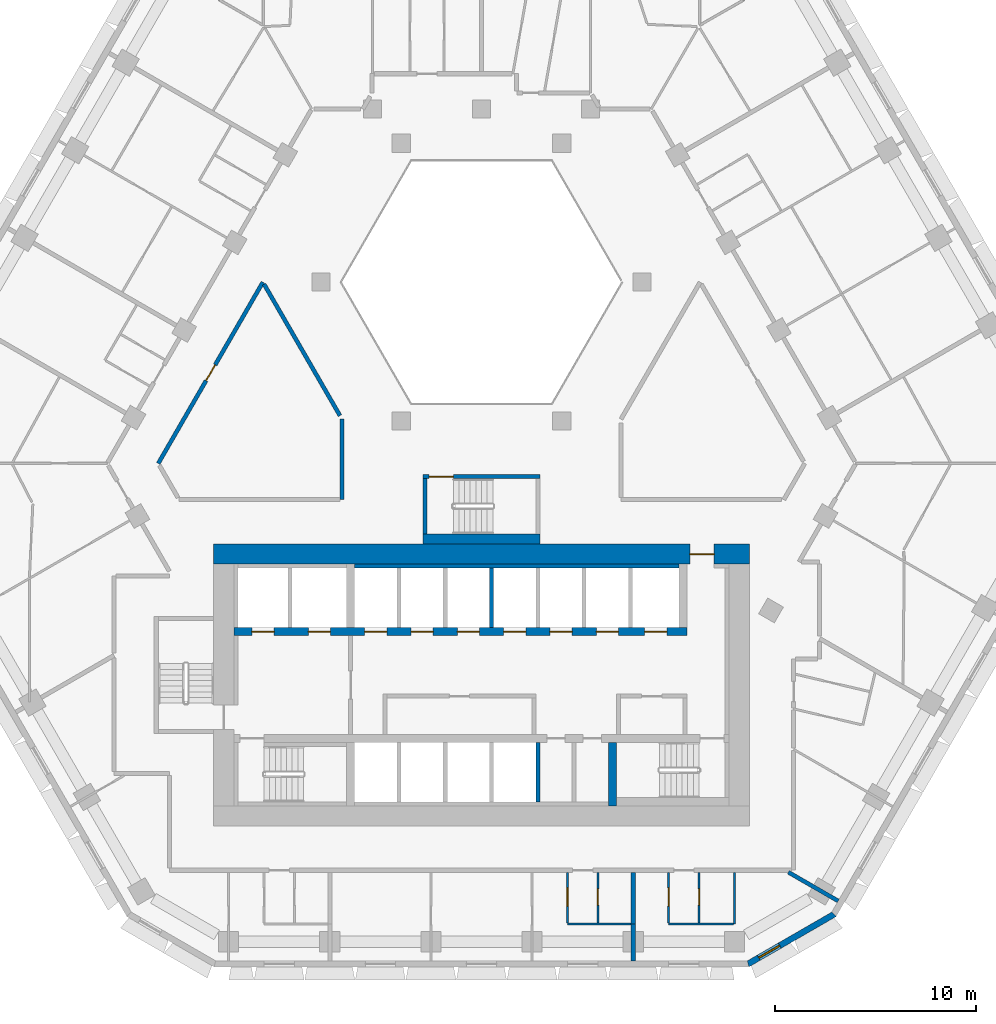
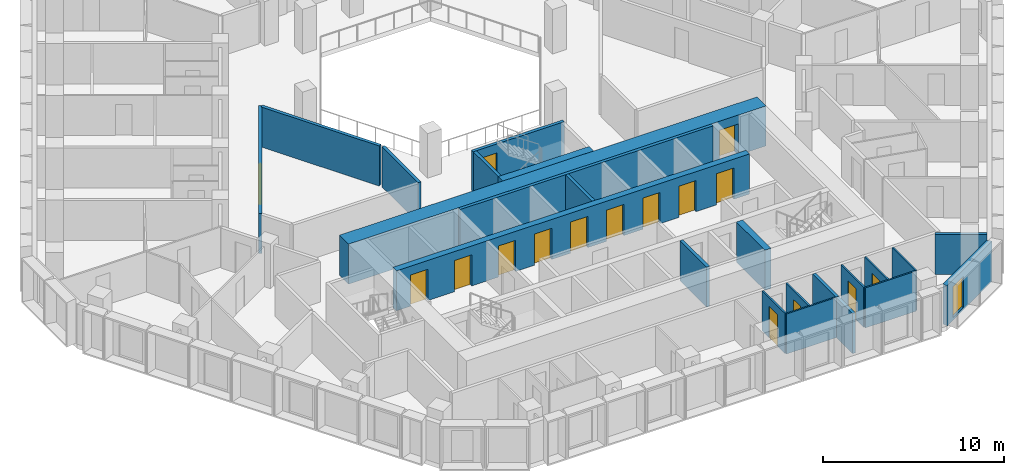
# One storey, part 5 of 15: 23 walls, 16 doors, 1 window, 17 openings.
"""IFC4 building model written with IfcOpenShell, lengths in metres."""

from ifc_helpers import new_model, si_unit, direction, frame, frame_2d, origin, place, context, subcontext, project, spatial, polyline, rectangle, outline, extrude, material, layer, layer_set, type_object, element, fill, save


model = new_model("IFC4")

# Units and contexts
model_context = context("Model", 3, precision=1e-05, world=origin(), true_north=direction((0.0, 1.0)))
body_context = subcontext(model_context, "Body", "Model", "MODEL_VIEW")
ifc_project = project(units=[si_unit("LENGTHUNIT", "METRE"), si_unit("AREAUNIT", "SQUARE_METRE"), si_unit("VOLUMEUNIT", "CUBIC_METRE"), si_unit("PLANEANGLEUNIT", "RADIAN"), si_unit("MASSUNIT", "GRAM", prefix="KILO")], contexts=[model_context])

# Site, building, storey
site_placement = place(None, origin())
site = spatial("IfcSite", under=ifc_project, at=site_placement, CompositionType="ELEMENT")
building_placement = place(site_placement, origin())
building = spatial("IfcBuilding", under=site, at=building_placement, Name="Beryl Residences", CompositionType="ELEMENT")
storey_placement = place(building_placement, frame((0.0, 0.0, 84.0)))
storey = spatial("IfcBuildingStorey", under=building, at=storey_placement, Name="L25", CompositionType="ELEMENT", Elevation=84.0)

# Wall, opening, window
ifc_material_1 = material(Name="Composite metal panel with mineral wool insulation")
ifc_layer_1 = layer(ifc_material_1, 0.300048828125)
ifc_layer_set_1 = layer_set([ifc_layer_1], Name="ES1 pale metal composite panel wall 300 mm")
wall_type_1 = type_object("IfcWallType", Name="ES1 pale metal composite panel wall 300 mm", PredefinedType="SOLIDWALL", material=ifc_layer_set_1)
wall_1_placement = place(storey_placement, frame((13.2041015625, -25.8701171875, 0.0), z_axis=(0.0, 0.0, 1.0), x_axis=(0.866010750942, 0.50002537861, 0.0)))
wall_1 = element("IfcWall", 1, at=wall_1_placement, inside=storey, type_object=wall_type_1, Name="ES1 external wall L25 S-SE", PredefinedType="SOLIDWALL", context=body_context, shape_type="SweptSolid", body=[
    extrude(outline(polyline([(0.0, -0.14990234375), (4.999755859375, -0.14990234375), (4.91943359375, 0.14990234375), (0.080322265625, 0.14990234375), (0.0, -0.14990234375)])), origin(), (0.0, 0.0, 1.0), 2.699951171875),
])
opening_1_placement = place(wall_1_placement, frame((0.64990234375, 0.0, 0.14990234375)))
opening_1 = element("IfcOpeningElement", 2, at=opening_1_placement, cuts=wall_1, Name="Opening W2", PredefinedType="OPENING", context=body_context, shape_type="SweptSolid", body=[
    extrude(rectangle(XDim=1.199951171875, YDim=2.10009765625, at=frame_2d((0.60009765625, 1.050048828125))), frame((0.0, 0.159912109375, 0.0), z_axis=(0.0, -1.0, 0.0), x_axis=(1.0, 0.0, 0.0)), (0.0, 0.0, 1.0), 0.320068359375),
])
ifc_material_2 = material(Name="Aluminium and clear glass", Category="aluminium")
window_type = type_object("IfcWindowType", Name="W2 chamfer window 1200 x 2100 mm", PartitioningType="SINGLE_PANEL", PredefinedType="WINDOW", material=ifc_material_2)
window_placement = place(opening_1_placement, origin())
window = element("IfcWindow", 3, at=window_placement, inside=storey, type_object=window_type, Name="W2 window L25 S-SE 1", OverallHeight=2.10009765625, OverallWidth=1.199951171875, PartitioningType="SINGLE_PANEL", PredefinedType="WINDOW", context=body_context, shape_type="SweptSolid", body=[
    extrude(rectangle(XDim=1.199951171875, YDim=2.10009765625, at=frame_2d((0.60009765625, 1.050048828125))), frame((0.0, 0.030029296875, 0.0), z_axis=(0.0, -1.0, 0.0), x_axis=(1.0, 0.0, 0.0)), (0.0, 0.0, 1.0), 0.06005859375),
])
fill(opening_1, window)

# Wall, opening, door
ifc_material_3 = material(Name="Gypsum board partition on steel studs", Category="steel")
ifc_layer_2 = layer(ifc_material_3, 0.10009765625)
ifc_layer_set_2 = layer_set([ifc_layer_2], Name="PT1 partition 100 mm gypsum board on steel studs")
wall_type_2 = type_object("IfcWallType", Name="PT1 partition 100 mm gypsum board on steel studs", PredefinedType="PARTITIONING", material=ifc_layer_set_2)
wall_2_placement = place(storey_placement, frame((4.27001953125, -21.300048828125, 0.0), z_axis=(0.0, 0.0, 1.0), x_axis=(0.0, -1.0, 0.0)))
wall_2 = element("IfcWall", 4, at=wall_2_placement, inside=storey, type_object=wall_type_2, Name="Wall PT1 L25 012", PredefinedType="PARTITIONING", context=body_context, shape_type="SweptSolid", body=[
    extrude(rectangle(XDim=2.509033203125, YDim=0.10009765625, at=frame_2d((1.25439453125, 0.0))), origin(), (0.0, 0.0, 1.0), 2.699951171875),
])
opening_2_placement = place(wall_2_placement, frame((0.780029296875, 0.0, 0.0)))
opening_2 = element("IfcOpeningElement", 5, at=opening_2_placement, cuts=wall_2, Name="Opening D0852", PredefinedType="OPENING", context=body_context, shape_type="SweptSolid", body=[
    extrude(rectangle(XDim=0.89990234375, YDim=2.10009765625, at=frame_2d((0.449951171875, 1.050048828125))), frame((0.0, 0.06005859375, 0.0), z_axis=(0.0, -1.0, 0.0), x_axis=(1.0, 0.0, 0.0)), (0.0, 0.0, 1.0), 0.1201171875),
])
ifc_material_4 = material(Name="Timber door leaf", Category="wood")
door_type_1 = type_object("IfcDoorType", Name="D2 room door 900 x 2100 mm", OperationType="SINGLE_SWING_LEFT", PredefinedType="DOOR", material=ifc_material_4)
door_1_placement = place(opening_2_placement, origin())
door_1 = element("IfcDoor", 6, at=door_1_placement, inside=storey, type_object=door_type_1, Name="Door D0852 L25 001", OperationType="SINGLE_SWING_RIGHT", OverallHeight=2.10009765625, OverallWidth=0.89990234375, PredefinedType="DOOR", context=body_context, shape_type="SweptSolid", body=[
    extrude(rectangle(XDim=0.89990234375, YDim=2.10009765625, at=frame_2d((0.449951171875, 1.050048828125))), frame((0.0, 0.02490234375, 0.0), z_axis=(0.0, -1.0, 0.0), x_axis=(1.0, 0.0, 0.0)), (0.0, 0.0, 1.0), 0.050048828125),
])
fill(opening_2, door_1)

wall_3_placement = place(storey_placement, frame((9.29296875, -21.300048828125, 0.0), z_axis=(0.0, 0.0, 1.0), x_axis=(0.0, -1.0, 0.0)))
wall_3 = element("IfcWall", 7, at=wall_3_placement, inside=storey, type_object=wall_type_2, Name="Wall PT1 L25 013", PredefinedType="PARTITIONING", context=body_context, shape_type="SweptSolid", body=[
    extrude(rectangle(XDim=2.509033203125, YDim=0.10009765625, at=frame_2d((1.25439453125, 0.0))), origin(), (0.0, 0.0, 1.0), 2.699951171875),
])
opening_3_placement = place(wall_3_placement, frame((0.780029296875, 0.0, 0.0)))
opening_3 = element("IfcOpeningElement", 8, at=opening_3_placement, cuts=wall_3, Name="Opening D0857", PredefinedType="OPENING", context=body_context, shape_type="SweptSolid", body=[
    extrude(rectangle(XDim=0.89990234375, YDim=2.10009765625, at=frame_2d((0.449951171875, 1.050048828125))), frame((0.0, 0.06005859375, 0.0), z_axis=(0.0, -1.0, 0.0), x_axis=(1.0, 0.0, 0.0)), (0.0, 0.0, 1.0), 0.1201171875),
])
door_2_placement = place(opening_3_placement, origin())
door_2 = element("IfcDoor", 9, at=door_2_placement, inside=storey, type_object=door_type_1, Name="Door D0857 L25 001", OperationType="SINGLE_SWING_LEFT", OverallHeight=2.10009765625, OverallWidth=0.89990234375, PredefinedType="DOOR", context=body_context, shape_type="SweptSolid", body=[
    extrude(rectangle(XDim=0.89990234375, YDim=2.10009765625, at=frame_2d((0.449951171875, 1.050048828125))), frame((0.0, 0.02490234375, 0.0), z_axis=(0.0, -1.0, 0.0), x_axis=(1.0, 0.0, 0.0)), (0.0, 0.0, 1.0), 0.050048828125),
])
fill(opening_3, door_2)

# Walls
wall_4_placement = place(storey_placement, frame((4.27099609375, -23.860107421875, 0.0), z_axis=(0.0, 0.0, 1.0), x_axis=(1.0, 0.0, 0.0)))
element("IfcWall", 10, at=wall_4_placement, inside=storey, type_object=wall_type_2, Name="Wall PT1 L25 030", PredefinedType="PARTITIONING", context=body_context, shape_type="SweptSolid", body=[
    extrude(rectangle(XDim=3.1640625, YDim=0.10009765625, at=frame_2d((1.58203125, 0.0))), origin(), (0.0, 0.0, 1.0), 2.699951171875),
])
wall_5_placement = place(storey_placement, frame((9.2939453125, -23.860107421875, 0.0), z_axis=(0.0, 0.0, 1.0), x_axis=(1.0, 0.0, 0.0)))
element("IfcWall", 11, at=wall_5_placement, inside=storey, type_object=wall_type_2, Name="Wall PT1 L25 031", PredefinedType="PARTITIONING", context=body_context, shape_type="SweptSolid", body=[
    extrude(rectangle(XDim=3.213134765625, YDim=0.10009765625, at=frame_2d((1.6064453125, 0.0))), origin(), (0.0, 0.0, 1.0), 2.699951171875),
])

# Wall, opening, door
wall_6_placement = place(storey_placement, frame((5.777099609375, -23.81005859375, 0.0), z_axis=(0.0, 0.0, 1.0), x_axis=(0.0, 1.0, 0.0)))
wall_6 = element("IfcWall", 12, at=wall_6_placement, inside=storey, type_object=wall_type_2, Name="Wall PT1 L25 048", PredefinedType="PARTITIONING", context=body_context, shape_type="SweptSolid", body=[
    extrude(rectangle(XDim=2.510009765625, YDim=0.10009765625, at=frame_2d((1.2548828125, 0.0))), origin(), (0.0, 0.0, 1.0), 2.699951171875),
])
opening_4_placement = place(wall_6_placement, frame((0.8798828125, 0.0, 0.0)))
opening_4 = element("IfcOpeningElement", 13, at=opening_4_placement, cuts=wall_6, Name="Opening D0853", PredefinedType="OPENING", context=body_context, shape_type="SweptSolid", body=[
    extrude(rectangle(XDim=0.800048828125, YDim=2.10009765625, at=frame_2d((0.39990234375, 1.050048828125))), frame((0.0, 0.06005859375, 0.0), z_axis=(0.0, -1.0, 0.0), x_axis=(1.0, 0.0, 0.0)), (0.0, 0.0, 1.0), 0.1201171875),
])
ifc_material_5 = material(Name="Timber door leaf", Category="wood")
door_type_2 = type_object("IfcDoorType", Name="D3 bathroom door 800 x 2100 mm", OperationType="SINGLE_SWING_LEFT", PredefinedType="DOOR", material=ifc_material_5)
door_3_placement = place(opening_4_placement, origin())
door_3 = element("IfcDoor", 14, at=door_3_placement, inside=storey, type_object=door_type_2, Name="Door D0853 L25 001", OperationType="SINGLE_SWING_LEFT", OverallHeight=2.10009765625, OverallWidth=0.800048828125, PredefinedType="DOOR", context=body_context, shape_type="SweptSolid", body=[
    extrude(rectangle(XDim=0.800048828125, YDim=2.10009765625, at=frame_2d((0.39990234375, 1.050048828125))), frame((0.0, 0.02490234375, 0.0), z_axis=(0.0, -1.0, 0.0), x_axis=(1.0, 0.0, 0.0)), (0.0, 0.0, 1.0), 0.050048828125),
])
fill(opening_4, door_3)

wall_7_placement = place(storey_placement, frame((10.800048828125, -23.81005859375, 0.0), z_axis=(0.0, 0.0, 1.0), x_axis=(0.0, 1.0, 0.0)))
wall_7 = element("IfcWall", 15, at=wall_7_placement, inside=storey, type_object=wall_type_2, Name="Wall PT1 L25 049", PredefinedType="PARTITIONING", context=body_context, shape_type="SweptSolid", body=[
    extrude(rectangle(XDim=2.510009765625, YDim=0.10009765625, at=frame_2d((1.2548828125, 0.0))), origin(), (0.0, 0.0, 1.0), 2.699951171875),
])
opening_5_placement = place(wall_7_placement, frame((0.8798828125, 0.0, 0.0)))
opening_5 = element("IfcOpeningElement", 16, at=opening_5_placement, cuts=wall_7, Name="Opening D0858", PredefinedType="OPENING", context=body_context, shape_type="SweptSolid", body=[
    extrude(rectangle(XDim=0.800048828125, YDim=2.10009765625, at=frame_2d((0.39990234375, 1.050048828125))), frame((0.0, 0.06005859375, 0.0), z_axis=(0.0, -1.0, 0.0), x_axis=(1.0, 0.0, 0.0)), (0.0, 0.0, 1.0), 0.1201171875),
])
door_4_placement = place(opening_5_placement, origin())
door_4 = element("IfcDoor", 17, at=door_4_placement, inside=storey, type_object=door_type_2, Name="Door D0858 L25 001", OperationType="SINGLE_SWING_RIGHT", OverallHeight=2.10009765625, OverallWidth=0.800048828125, PredefinedType="DOOR", context=body_context, shape_type="SweptSolid", body=[
    extrude(rectangle(XDim=0.800048828125, YDim=2.10009765625, at=frame_2d((0.39990234375, 1.050048828125))), frame((0.0, 0.02490234375, 0.0), z_axis=(0.0, -1.0, 0.0), x_axis=(1.0, 0.0, 0.0)), (0.0, 0.0, 1.0), 0.050048828125),
])
fill(opening_5, door_4)

# Walls
wall_8_placement = place(storey_placement, frame((12.55810546875, -23.85888671875, 0.0), z_axis=(0.0, 0.0, 1.0), x_axis=(0.0, 1.0, 0.0)))
element("IfcWall", 18, at=wall_8_placement, inside=storey, type_object=wall_type_2, Name="Wall PT1 L25 051", PredefinedType="PARTITIONING", context=body_context, shape_type="SweptSolid", body=[
    extrude(rectangle(XDim=2.558837890625, YDim=0.10009765625, at=frame_2d((1.279296875, 0.0))), origin(), (0.0, 0.0, 1.0), 2.699951171875),
])
ifc_material_6 = material(Name="Acoustic double stud gypsum board wall")
ifc_layer_3 = layer(ifc_material_6, 0.199951171875)
ifc_layer_set_3 = layer_set([ifc_layer_3], Name="PT3 party wall 200 mm acoustic double stud")
wall_type_3 = type_object("IfcWallType", Name="PT3 party wall 200 mm acoustic double stud", PredefinedType="PARTITIONING", material=ifc_layer_set_3)
wall_9_placement = place(storey_placement, frame((7.534912109375, -23.860107421875, 0.0), z_axis=(0.0, 0.0, 1.0), x_axis=(0.0, -1.0, 0.0)))
element("IfcWall", 19, at=wall_9_placement, inside=storey, type_object=wall_type_3, Name="Wall PT3 L25 002", PredefinedType="PARTITIONING", context=body_context, shape_type="SweptSolid", body=[
    extrude(rectangle(XDim=1.83984375, YDim=0.199951171875, at=frame_2d((0.919921875, 0.0))), origin(), (0.0, 0.0, 1.0), 2.699951171875),
])
wall_10_placement = place(storey_placement, frame((15.239990234375, -21.300048828125, 0.0), z_axis=(0.0, 0.0, 1.0), x_axis=(0.866090043625, -0.499888023795, 0.0)))
element("IfcWall", 20, at=wall_10_placement, inside=storey, type_object=wall_type_3, Name="Wall PT3 L25 004", PredefinedType="PARTITIONING", context=body_context, shape_type="SweptSolid", body=[
    extrude(rectangle(XDim=2.850830078125, YDim=0.199951171875, at=frame_2d((1.42529296875, 0.0))), origin(), (0.0, 0.0, 1.0), 2.699951171875),
])
wall_11_placement = place(storey_placement, frame((7.534912109375, -23.860107421875, 0.0), z_axis=(0.0, 0.0, 1.0), x_axis=(0.0, 1.0, 0.0)))
element("IfcWall", 21, at=wall_11_placement, inside=storey, type_object=wall_type_3, Name="Wall PT3 L25 008", PredefinedType="PARTITIONING", context=body_context, shape_type="SweptSolid", body=[
    extrude(rectangle(XDim=2.56005859375, YDim=0.199951171875, at=frame_2d((1.280029296875, 0.0))), origin(), (0.0, 0.0, 1.0), 2.699951171875),
])
ifc_material_7 = material(Name="Double stud gypsum board wall")
ifc_layer_4 = layer(ifc_material_7, 0.199951171875)
ifc_layer_set_4 = layer_set([ifc_layer_4], Name="PT4 corridor wall 200 mm double stud")
wall_type_4 = type_object("IfcWallType", Name="PT4 corridor wall 200 mm double stud", PredefinedType="PARTITIONING", material=ifc_layer_set_4)
wall_12_placement = place(storey_placement, frame((-10.7958984375, 7.89892578125, 0.0), z_axis=(0.0, 0.0, 1.0), x_axis=(0.500010383074, -0.866019409031, 0.0)))
element("IfcWall", 22, at=wall_12_placement, inside=storey, type_object=wall_type_4, Name="Wall PT4 L25 001", PredefinedType="PARTITIONING", context=body_context, shape_type="SweptSolid", body=[
    extrude(rectangle(XDim=7.535400390625, YDim=0.199951171875, at=frame_2d((3.767578125, 0.0))), origin(), (0.0, 0.0, 1.0), 2.699951171875),
])

# Wall, opening, door
wall_13_placement = place(storey_placement, frame((-16.050048828125, -1.0, 0.0), z_axis=(0.0, 0.0, 1.0), x_axis=(0.499962449088, 0.866047082728, 0.0)))
wall_13 = element("IfcWall", 23, at=wall_13_placement, inside=storey, type_object=wall_type_4, Name="Wall PT4 L25 027", PredefinedType="PARTITIONING", context=body_context, shape_type="SweptSolid", body=[
    extrude(rectangle(XDim=10.390869140625, YDim=0.199951171875, at=frame_2d((5.1953125, 0.0))), origin(), (0.0, 0.0, 1.0), 2.699951171875),
])
opening_6_placement = place(wall_13_placement, frame((4.7451171875, 0.0, 0.0)))
opening_6 = element("IfcOpeningElement", 24, at=opening_6_placement, cuts=wall_13, Name="Opening D0863", PredefinedType="OPENING", context=body_context, shape_type="SweptSolid", body=[
    extrude(rectangle(XDim=0.89990234375, YDim=2.10009765625, at=frame_2d((0.449951171875, 1.050048828125))), frame((0.0, 0.10986328125, 0.0), z_axis=(0.0, -1.0, 0.0), x_axis=(1.0, 0.0, 0.0)), (0.0, 0.0, 1.0), 0.219970703125),
])
door_5_placement = place(opening_6_placement, origin())
door_5 = element("IfcDoor", 25, at=door_5_placement, inside=storey, type_object=door_type_1, Name="Door D0863 L25 001", OperationType="SINGLE_SWING_LEFT", OverallHeight=2.10009765625, OverallWidth=0.89990234375, PredefinedType="DOOR", context=body_context, shape_type="SweptSolid", body=[
    extrude(rectangle(XDim=0.89990234375, YDim=2.10009765625, at=frame_2d((0.449951171875, 1.050048828125))), frame((0.0, 0.02490234375, 0.0), z_axis=(0.0, -1.0, 0.0), x_axis=(1.0, 0.0, 0.0)), (0.0, 0.0, 1.0), 0.050048828125),
])
fill(opening_6, door_5)

# Wall
wall_14_placement = place(storey_placement, frame((-6.927978515625, -2.799072265625, 0.0), z_axis=(0.0, 0.0, 1.0), x_axis=(0.0, 1.0, 0.0)))
element("IfcWall", 26, at=wall_14_placement, inside=storey, type_object=wall_type_4, Name="Wall PT4 L25 034", PredefinedType="PARTITIONING", context=body_context, shape_type="SweptSolid", body=[
    extrude(rectangle(XDim=3.9990234375, YDim=0.199951171875, at=frame_2d((1.99951171875, 0.0))), origin(), (0.0, 0.0, 1.0), 2.699951171875),
])

# Wall, opening, door
ifc_material_8 = material(Name="Concrete C40/50", Category="concrete")
ifc_layer_5 = layer(ifc_material_8, 0.199951171875)
ifc_layer_set_5 = layer_set([ifc_layer_5], Name="PT5 stair enclosure wall 200 mm reinforced concrete C40/50")
wall_type_5 = type_object("IfcWallType", Name="PT5 stair enclosure wall 200 mm reinforced concrete C40/50", PredefinedType="SOLIDWALL", material=ifc_layer_set_5)
wall_15_placement = place(storey_placement, frame((-2.89990234375, -1.64990234375, 0.0), z_axis=(0.0, 0.0, 1.0), x_axis=(1.0, 0.0, 0.0)))
wall_15 = element("IfcWall", 27, at=wall_15_placement, inside=storey, type_object=wall_type_5, Name="Wall PT5 L25 001", PredefinedType="SOLIDWALL", context=body_context, shape_type="SweptSolid", body=[
    extrude(rectangle(XDim=5.7998046875, YDim=0.199951171875, at=frame_2d((2.89990234375, 0.0))), origin(), (0.0, 0.0, 1.0), 2.699951171875),
])
opening_7_placement = place(wall_15_placement, frame((0.300048828125, 0.0, 0.0)))
opening_7 = element("IfcOpeningElement", 28, at=opening_7_placement, cuts=wall_15, Name="Opening DS04", PredefinedType="OPENING", context=body_context, shape_type="SweptSolid", body=[
    extrude(rectangle(XDim=1.199951171875, YDim=2.10009765625, at=frame_2d((0.60009765625, 1.050048828125))), frame((0.0, 0.10986328125, 0.0), z_axis=(0.0, -1.0, 0.0), x_axis=(1.0, 0.0, 0.0)), (0.0, 0.0, 1.0), 0.219970703125),
])
ifc_material_9 = material(Name="Steel door leaf in steel frame", Category="steel")
door_type_3 = type_object("IfcDoorType", Name="D4 stair door 1200 x 2100 mm", OperationType="SINGLE_SWING_LEFT", PredefinedType="DOOR", material=ifc_material_9)
door_6_placement = place(opening_7_placement, origin())
door_6 = element("IfcDoor", 29, at=door_6_placement, inside=storey, type_object=door_type_3, Name="Door DS04 L25 001", OperationType="SINGLE_SWING_LEFT", OverallHeight=2.10009765625, OverallWidth=1.199951171875, PredefinedType="DOOR", context=body_context, shape_type="SweptSolid", body=[
    extrude(rectangle(XDim=1.199951171875, YDim=2.10009765625, at=frame_2d((0.60009765625, 1.050048828125))), frame((0.0, 0.02490234375, 0.0), z_axis=(0.0, -1.0, 0.0), x_axis=(1.0, 0.0, 0.0)), (0.0, 0.0, 1.0), 0.050048828125),
])
fill(opening_7, door_6)

# Walls
wall_16_placement = place(storey_placement, frame((-2.800048828125, -4.5, 0.0), z_axis=(0.0, 0.0, 1.0), x_axis=(0.0, 1.0, 0.0)))
element("IfcWall", 30, at=wall_16_placement, inside=storey, type_object=wall_type_5, Name="Wall PT5 L25 002", PredefinedType="SOLIDWALL", context=body_context, shape_type="SweptSolid", body=[
    extrude(rectangle(XDim=2.75, YDim=0.199951171875, at=frame_2d((1.375, 0.0))), origin(), (0.0, 0.0, 1.0), 2.699951171875),
])
ifc_material_10 = material(Name="Concrete C40/50", Category="concrete")
ifc_layer_6 = layer(ifc_material_10, 0.5)
ifc_layer_set_6 = layer_set([ifc_layer_6], Name="PT5-500 stair enclosure wall 500 mm")
wall_type_6 = type_object("IfcWallType", Name="PT5-500 stair enclosure wall 500 mm", PredefinedType="SOLIDWALL", material=ifc_layer_set_6)
wall_17_placement = place(storey_placement, frame((-2.89990234375, -4.75, 0.0), z_axis=(0.0, 0.0, 1.0), x_axis=(1.0, 0.0, 0.0)))
element("IfcWall", 31, at=wall_17_placement, inside=storey, type_object=wall_type_6, Name="Wall PT5-500 L25 001", PredefinedType="SOLIDWALL", context=body_context, shape_type="SweptSolid", body=[
    extrude(rectangle(XDim=5.7998046875, YDim=0.5, at=frame_2d((2.89990234375, 0.0))), origin(), (0.0, 0.0, 1.0), 2.699951171875),
])
ifc_material_11 = material(Name="Concrete C40/50", Category="concrete")
ifc_layer_7 = layer(ifc_material_11, 0.199951171875)
ifc_layer_set_7 = layer_set([ifc_layer_7], Name="PT6 lift shaft wall 200 mm reinforced concrete C40/50")
wall_type_7 = type_object("IfcWallType", Name="PT6 lift shaft wall 200 mm reinforced concrete C40/50", PredefinedType="SOLIDWALL", material=ifc_layer_set_7)
wall_18_placement = place(storey_placement, frame((-6.300048828125, -6.10009765625, 0.0), z_axis=(0.0, 0.0, 1.0), x_axis=(1.0, 0.0, 0.0)))
element("IfcWall", 32, at=wall_18_placement, inside=storey, type_object=wall_type_7, Name="Lift shaft wall 13", PredefinedType="SOLIDWALL", context=body_context, shape_type="SweptSolid", body=[
    extrude(rectangle(XDim=16.10009765625, YDim=0.199951171875, at=frame_2d((8.050048828125, 0.0))), origin(), (0.0, 0.0, 1.0), 2.699951171875),
])
for number, where, z_axis, x_axis, name in (
    (33, (0.5, -9.14990234375, 0.0), (0.0, 0.0, 1.0), (0.0, 1.0, 0.0), "Lift shaft wall 21"),
    (34, (2.800048828125, -17.800048828125, 0.0), (0.0, 0.0, 1.0), (0.0, 1.0, 0.0), "Lift shaft wall 23"),
):
    element("IfcWall", number, at=place(storey_placement, frame(where, z_axis=z_axis, x_axis=x_axis)), inside=storey, type_object=wall_type_7, Name=name, PredefinedType="SOLIDWALL", context=body_context, shape_type="SweptSolid", body=[
        extrude(rectangle(XDim=2.949951171875, YDim=0.199951171875, at=frame_2d((1.47509765625, 0.0))), origin(), (0.0, 0.0, 1.0), 2.699951171875),
    ])

# Wall, opening, door
ifc_material_12 = material(Name="Concrete C70/85", Category="concrete")
ifc_layer_8 = layer(ifc_material_12, 1.0)
ifc_layer_set_8 = layer_set([ifc_layer_8], Name="SW2 core outer wall 1000 mm C70/85")
wall_type_8 = type_object("IfcWallType", Name="SW2 core outer wall 1000 mm C70/85", PredefinedType="SHEAR", material=ifc_layer_set_8)
wall_19_placement = place(storey_placement, frame((-13.300048828125, -5.5, 0.0), z_axis=(0.0, 0.0, 1.0), x_axis=(1.0, 0.0, 0.0)))
wall_19 = element("IfcWall", 35, at=wall_19_placement, inside=storey, type_object=wall_type_8, Name="Core wall N L25", PredefinedType="SHEAR", context=body_context, shape_type="SweptSolid", body=[
    extrude(rectangle(XDim=26.60009765625, YDim=1.0, at=frame_2d((13.300048828125, 0.0))), origin(), (0.0, 0.0, 1.0), 2.699951171875),
])
opening_8_placement = place(wall_19_placement, frame((23.64990234375, 0.0, 0.0)))
opening_8 = element("IfcOpeningElement", 36, at=opening_8_placement, cuts=wall_19, Name="Opening FD-NORTH", PredefinedType="OPENING", context=body_context, shape_type="SweptSolid", body=[
    extrude(rectangle(XDim=1.199951171875, YDim=2.10009765625, at=frame_2d((0.60009765625, 1.050048828125))), frame((0.0, 0.510009765625, 0.0), z_axis=(0.0, -1.0, 0.0), x_axis=(1.0, 0.0, 0.0)), (0.0, 0.0, 1.0), 1.02001953125),
])
ifc_material_13 = material(Name="Steel door leaf in steel frame", Category="steel")
door_type_4 = type_object("IfcDoorType", Name="D22 lobby door 1200 x 2100 mm", OperationType="DOUBLE_DOOR_SINGLE_SWING", PredefinedType="DOOR", material=ifc_material_13)
door_7_placement = place(opening_8_placement, origin())
door_7 = element("IfcDoor", 37, at=door_7_placement, inside=storey, type_object=door_type_4, Name="Door FD-NORTH L25 001", OperationType="DOUBLE_DOOR_SINGLE_SWING", OverallHeight=2.10009765625, OverallWidth=1.199951171875, PredefinedType="DOOR", context=body_context, shape_type="SweptSolid", body=[
    extrude(rectangle(XDim=1.199951171875, YDim=2.10009765625, at=frame_2d((0.60009765625, 1.050048828125))), frame((0.0, 0.02490234375, 0.0), z_axis=(0.0, -1.0, 0.0), x_axis=(1.0, 0.0, 0.0)), (0.0, 0.0, 1.0), 0.050048828125),
])
fill(opening_8, door_7)

# Wall, openings, doors
ifc_material_14 = material(Name="Concrete C70/85", Category="concrete")
ifc_layer_9 = layer(ifc_material_14, 0.39990234375)
ifc_layer_set_9 = layer_set([ifc_layer_9], Name="SW7 core internal wall 400 mm C70/85")
wall_type_9 = type_object("IfcWallType", Name="SW7 core internal wall 400 mm C70/85", PredefinedType="SHEAR", material=ifc_layer_set_9)
wall_20_placement = place(storey_placement, frame((-12.300048828125, -9.35009765625, 0.0), z_axis=(0.0, 0.0, 1.0), x_axis=(1.0, 0.0, 0.0)))
wall_20 = element("IfcWall", 38, at=wall_20_placement, inside=storey, type_object=wall_type_9, Name="Core wall SP2 L25", PredefinedType="SHEAR", context=body_context, shape_type="SweptSolid", body=[
    extrude(rectangle(XDim=22.5, YDim=0.39990234375, at=frame_2d((11.25, 0.0))), origin(), (0.0, 0.0, 1.0), 2.699951171875),
])
opening_9_placement = place(wall_20_placement, frame((0.89990234375, 0.0, 0.0)))
opening_9 = element("IfcOpeningElement", 39, at=opening_9_placement, cuts=wall_20, Name="Opening LD-FF1", PredefinedType="OPENING", context=body_context, shape_type="SweptSolid", body=[
    extrude(rectangle(XDim=1.10009765625, YDim=2.10009765625, at=frame_2d((0.550048828125, 1.050048828125))), frame((0.0, 0.2099609375, 0.0), z_axis=(0.0, -1.0, 0.0), x_axis=(1.0, 0.0, 0.0)), (0.0, 0.0, 1.0), 0.419921875),
])
opening_10_placement = place(wall_20_placement, frame((3.699951171875, 0.0, 0.0)))
opening_10 = element("IfcOpeningElement", 40, at=opening_10_placement, cuts=wall_20, Name="Opening LD-FF2", PredefinedType="OPENING", context=body_context, shape_type="SweptSolid", body=[
    extrude(rectangle(XDim=1.10009765625, YDim=2.10009765625, at=frame_2d((0.550048828125, 1.050048828125))), frame((0.0, 0.2099609375, 0.0), z_axis=(0.0, -1.0, 0.0), x_axis=(1.0, 0.0, 0.0)), (0.0, 0.0, 1.0), 0.419921875),
])
opening_11_placement = place(wall_20_placement, frame((6.5, 0.0, 0.0)))
opening_11 = element("IfcOpeningElement", 41, at=opening_11_placement, cuts=wall_20, Name="Opening LD-LR1", PredefinedType="OPENING", context=body_context, shape_type="SweptSolid", body=[
    extrude(rectangle(XDim=1.10009765625, YDim=2.10009765625, at=frame_2d((0.550048828125, 1.050048828125))), frame((0.0, 0.2099609375, 0.0), z_axis=(0.0, -1.0, 0.0), x_axis=(1.0, 0.0, 0.0)), (0.0, 0.0, 1.0), 0.419921875),
])
opening_12_placement = place(wall_20_placement, frame((8.800048828125, 0.0, 0.0)))
opening_12 = element("IfcOpeningElement", 42, at=opening_12_placement, cuts=wall_20, Name="Opening LD-LR2", PredefinedType="OPENING", context=body_context, shape_type="SweptSolid", body=[
    extrude(rectangle(XDim=1.10009765625, YDim=2.10009765625, at=frame_2d((0.550048828125, 1.050048828125))), frame((0.0, 0.2099609375, 0.0), z_axis=(0.0, -1.0, 0.0), x_axis=(1.0, 0.0, 0.0)), (0.0, 0.0, 1.0), 0.419921875),
])
opening_13_placement = place(wall_20_placement, frame((11.10009765625, 0.0, 0.0)))
opening_13 = element("IfcOpeningElement", 43, at=opening_13_placement, cuts=wall_20, Name="Opening LD-LR3", PredefinedType="OPENING", context=body_context, shape_type="SweptSolid", body=[
    extrude(rectangle(XDim=1.10009765625, YDim=2.10009765625, at=frame_2d((0.550048828125, 1.050048828125))), frame((0.0, 0.2099609375, 0.0), z_axis=(0.0, -1.0, 0.0), x_axis=(1.0, 0.0, 0.0)), (0.0, 0.0, 1.0), 0.419921875),
])
opening_14_placement = place(wall_20_placement, frame((13.39990234375, 0.0, 0.0)))
opening_14 = element("IfcOpeningElement", 44, at=opening_14_placement, cuts=wall_20, Name="Opening LD-LR4", PredefinedType="OPENING", context=body_context, shape_type="SweptSolid", body=[
    extrude(rectangle(XDim=1.10009765625, YDim=2.10009765625, at=frame_2d((0.550048828125, 1.050048828125))), frame((0.0, 0.2099609375, 0.0), z_axis=(0.0, -1.0, 0.0), x_axis=(1.0, 0.0, 0.0)), (0.0, 0.0, 1.0), 0.419921875),
])
opening_15_placement = place(wall_20_placement, frame((15.699951171875, 0.0, 0.0)))
opening_15 = element("IfcOpeningElement", 45, at=opening_15_placement, cuts=wall_20, Name="Opening LD-LR5", PredefinedType="OPENING", context=body_context, shape_type="SweptSolid", body=[
    extrude(rectangle(XDim=1.10009765625, YDim=2.10009765625, at=frame_2d((0.550048828125, 1.050048828125))), frame((0.0, 0.2099609375, 0.0), z_axis=(0.0, -1.0, 0.0), x_axis=(1.0, 0.0, 0.0)), (0.0, 0.0, 1.0), 0.419921875),
])
opening_16_placement = place(wall_20_placement, frame((18.0, 0.0, 0.0)))
opening_16 = element("IfcOpeningElement", 46, at=opening_16_placement, cuts=wall_20, Name="Opening LD-LR6", PredefinedType="OPENING", context=body_context, shape_type="SweptSolid", body=[
    extrude(rectangle(XDim=1.10009765625, YDim=2.10009765625, at=frame_2d((0.550048828125, 1.050048828125))), frame((0.0, 0.2099609375, 0.0), z_axis=(0.0, -1.0, 0.0), x_axis=(1.0, 0.0, 0.0)), (0.0, 0.0, 1.0), 0.419921875),
])
opening_17_placement = place(wall_20_placement, frame((20.39990234375, 0.0, 0.0)))
opening_17 = element("IfcOpeningElement", 47, at=opening_17_placement, cuts=wall_20, Name="Opening LD-SL1", PredefinedType="OPENING", context=body_context, shape_type="SweptSolid", body=[
    extrude(rectangle(XDim=1.10009765625, YDim=2.10009765625, at=frame_2d((0.550048828125, 1.050048828125))), frame((0.0, 0.2099609375, 0.0), z_axis=(0.0, -1.0, 0.0), x_axis=(1.0, 0.0, 0.0)), (0.0, 0.0, 1.0), 0.419921875),
])
ifc_material_15 = material(Name="Stainless steel sliding door", Category="steel")
door_type_5 = type_object("IfcDoorType", Name="LD1 lift landing door 1100 x 2100 mm", OperationType="DOUBLE_DOOR_SLIDING", PredefinedType="DOOR", material=ifc_material_15)
door_8_placement = place(opening_9_placement, origin())
door_8 = element("IfcDoor", 48, at=door_8_placement, inside=storey, type_object=door_type_5, Name="Lift landing door FF1", OperationType="DOUBLE_DOOR_SLIDING", OverallHeight=2.10009765625, OverallWidth=1.10009765625, PredefinedType="DOOR", context=body_context, shape_type="SweptSolid", body=[
    extrude(rectangle(XDim=1.10009765625, YDim=2.10009765625, at=frame_2d((0.550048828125, 1.050048828125))), frame((0.0, 0.02490234375, 0.0), z_axis=(0.0, -1.0, 0.0), x_axis=(1.0, 0.0, 0.0)), (0.0, 0.0, 1.0), 0.050048828125),
])
fill(opening_9, door_8)
door_9_placement = place(opening_10_placement, origin())
door_9 = element("IfcDoor", 49, at=door_9_placement, inside=storey, type_object=door_type_5, Name="Lift landing door FF2", OperationType="DOUBLE_DOOR_SLIDING", OverallHeight=2.10009765625, OverallWidth=1.10009765625, PredefinedType="DOOR", context=body_context, shape_type="SweptSolid", body=[
    extrude(rectangle(XDim=1.10009765625, YDim=2.10009765625, at=frame_2d((0.550048828125, 1.050048828125))), frame((0.0, 0.02490234375, 0.0), z_axis=(0.0, -1.0, 0.0), x_axis=(1.0, 0.0, 0.0)), (0.0, 0.0, 1.0), 0.050048828125),
])
fill(opening_10, door_9)
door_10_placement = place(opening_11_placement, origin())
door_10 = element("IfcDoor", 50, at=door_10_placement, inside=storey, type_object=door_type_5, Name="Lift landing door LR1", OperationType="DOUBLE_DOOR_SLIDING", OverallHeight=2.10009765625, OverallWidth=1.10009765625, PredefinedType="DOOR", context=body_context, shape_type="SweptSolid", body=[
    extrude(rectangle(XDim=1.10009765625, YDim=2.10009765625, at=frame_2d((0.550048828125, 1.050048828125))), frame((0.0, 0.02490234375, 0.0), z_axis=(0.0, -1.0, 0.0), x_axis=(1.0, 0.0, 0.0)), (0.0, 0.0, 1.0), 0.050048828125),
])
fill(opening_11, door_10)
door_11_placement = place(opening_12_placement, origin())
door_11 = element("IfcDoor", 51, at=door_11_placement, inside=storey, type_object=door_type_5, Name="Lift landing door LR2", OperationType="DOUBLE_DOOR_SLIDING", OverallHeight=2.10009765625, OverallWidth=1.10009765625, PredefinedType="DOOR", context=body_context, shape_type="SweptSolid", body=[
    extrude(rectangle(XDim=1.10009765625, YDim=2.10009765625, at=frame_2d((0.550048828125, 1.050048828125))), frame((0.0, 0.02490234375, 0.0), z_axis=(0.0, -1.0, 0.0), x_axis=(1.0, 0.0, 0.0)), (0.0, 0.0, 1.0), 0.050048828125),
])
fill(opening_12, door_11)
door_12_placement = place(opening_13_placement, origin())
door_12 = element("IfcDoor", 52, at=door_12_placement, inside=storey, type_object=door_type_5, Name="Lift landing door LR3", OperationType="DOUBLE_DOOR_SLIDING", OverallHeight=2.10009765625, OverallWidth=1.10009765625, PredefinedType="DOOR", context=body_context, shape_type="SweptSolid", body=[
    extrude(rectangle(XDim=1.10009765625, YDim=2.10009765625, at=frame_2d((0.550048828125, 1.050048828125))), frame((0.0, 0.02490234375, 0.0), z_axis=(0.0, -1.0, 0.0), x_axis=(1.0, 0.0, 0.0)), (0.0, 0.0, 1.0), 0.050048828125),
])
fill(opening_13, door_12)
door_13_placement = place(opening_14_placement, origin())
door_13 = element("IfcDoor", 53, at=door_13_placement, inside=storey, type_object=door_type_5, Name="Lift landing door LR4", OperationType="DOUBLE_DOOR_SLIDING", OverallHeight=2.10009765625, OverallWidth=1.10009765625, PredefinedType="DOOR", context=body_context, shape_type="SweptSolid", body=[
    extrude(rectangle(XDim=1.10009765625, YDim=2.10009765625, at=frame_2d((0.550048828125, 1.050048828125))), frame((0.0, 0.02490234375, 0.0), z_axis=(0.0, -1.0, 0.0), x_axis=(1.0, 0.0, 0.0)), (0.0, 0.0, 1.0), 0.050048828125),
])
fill(opening_14, door_13)
door_14_placement = place(opening_15_placement, origin())
door_14 = element("IfcDoor", 54, at=door_14_placement, inside=storey, type_object=door_type_5, Name="Lift landing door LR5", OperationType="DOUBLE_DOOR_SLIDING", OverallHeight=2.10009765625, OverallWidth=1.10009765625, PredefinedType="DOOR", context=body_context, shape_type="SweptSolid", body=[
    extrude(rectangle(XDim=1.10009765625, YDim=2.10009765625, at=frame_2d((0.550048828125, 1.050048828125))), frame((0.0, 0.02490234375, 0.0), z_axis=(0.0, -1.0, 0.0), x_axis=(1.0, 0.0, 0.0)), (0.0, 0.0, 1.0), 0.050048828125),
])
fill(opening_15, door_14)
door_15_placement = place(opening_16_placement, origin())
door_15 = element("IfcDoor", 55, at=door_15_placement, inside=storey, type_object=door_type_5, Name="Lift landing door LR6", OperationType="DOUBLE_DOOR_SLIDING", OverallHeight=2.10009765625, OverallWidth=1.10009765625, PredefinedType="DOOR", context=body_context, shape_type="SweptSolid", body=[
    extrude(rectangle(XDim=1.10009765625, YDim=2.10009765625, at=frame_2d((0.550048828125, 1.050048828125))), frame((0.0, 0.02490234375, 0.0), z_axis=(0.0, -1.0, 0.0), x_axis=(1.0, 0.0, 0.0)), (0.0, 0.0, 1.0), 0.050048828125),
])
fill(opening_16, door_15)
door_16_placement = place(opening_17_placement, origin())
door_16 = element("IfcDoor", 56, at=door_16_placement, inside=storey, type_object=door_type_5, Name="Lift landing door SL1", OperationType="DOUBLE_DOOR_SLIDING", OverallHeight=2.10009765625, OverallWidth=1.10009765625, PredefinedType="DOOR", context=body_context, shape_type="SweptSolid", body=[
    extrude(rectangle(XDim=1.10009765625, YDim=2.10009765625, at=frame_2d((0.550048828125, 1.050048828125))), frame((0.0, 0.02490234375, 0.0), z_axis=(0.0, -1.0, 0.0), x_axis=(1.0, 0.0, 0.0)), (0.0, 0.0, 1.0), 0.050048828125),
])
fill(opening_17, door_16)

# Wall
wall_21_placement = place(storey_placement, frame((6.5, -18.0, 0.0), z_axis=(0.0, 0.0, 1.0), x_axis=(0.0, 1.0, 0.0)))
element("IfcWall", 57, at=wall_21_placement, inside=storey, type_object=wall_type_9, Name="Core wall XS2 L25", PredefinedType="SHEAR", context=body_context, shape_type="SweptSolid", body=[
    extrude(rectangle(XDim=3.14990234375, YDim=0.39990234375, at=frame_2d((1.574951171875, 0.0))), origin(), (0.0, 0.0, 1.0), 2.699951171875),
])

save(model, "model.ifc")
